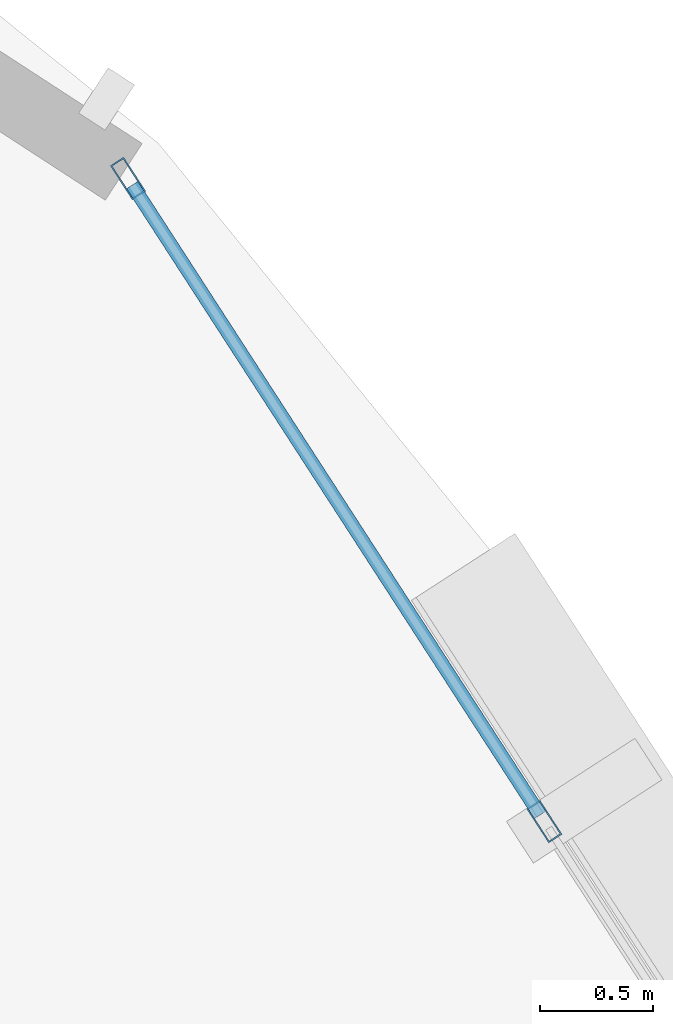
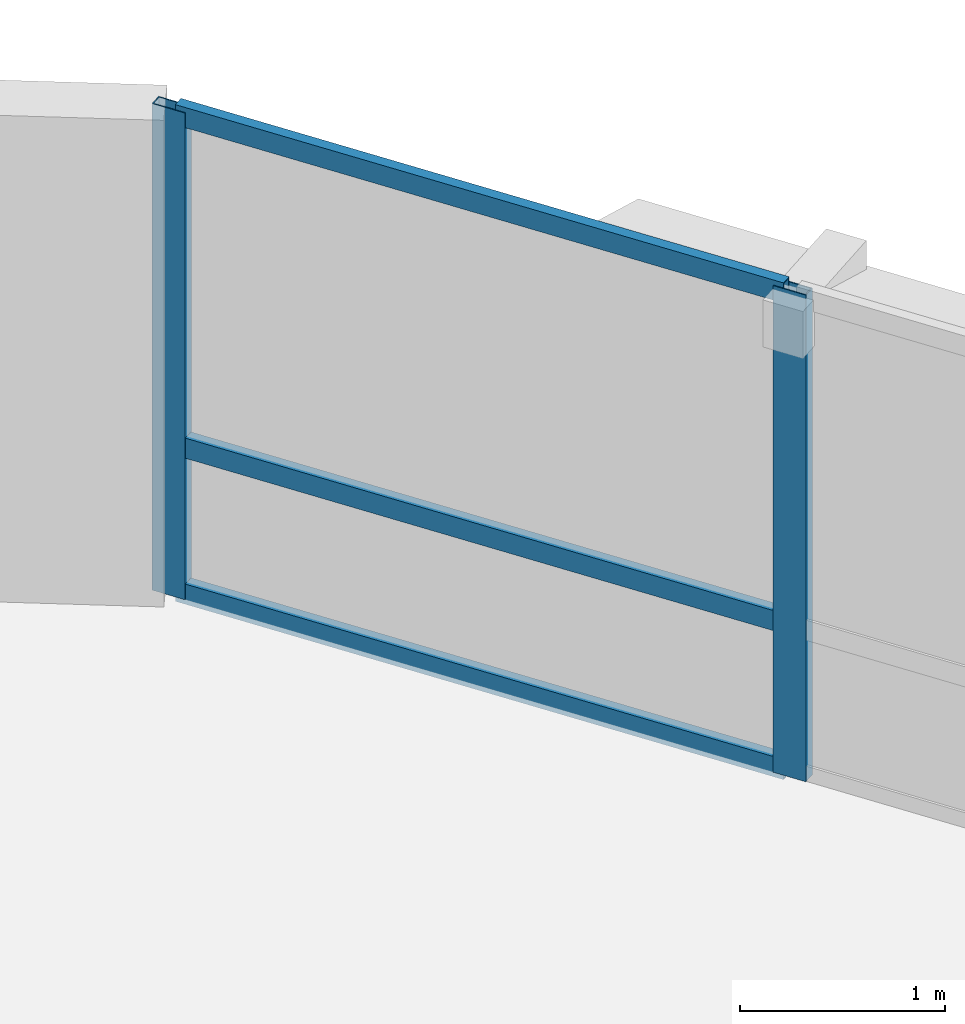
# One storey, part 8 of 15: 5 members, 1 element without a shape of its own.
"""IFC4 building model written with IfcOpenShell, lengths in metres."""

from ifc_helpers import new_model, si_unit, direction, frame, origin, origin_2d, place, context, subcontext, project, spatial, hollow_rectangle, extrude, material, layer, layer_set, material_profile, profile_set, type_object, element, aggregate, save


model = new_model("IFC4")

# Units and contexts
model_context = context("Model", 3, precision=1e-05, world=origin(), true_north=direction((0.0, 1.0)))
body_context = subcontext(model_context, "Body", "Model", "MODEL_VIEW")
ifc_project = project(units=[si_unit("LENGTHUNIT", "METRE"), si_unit("AREAUNIT", "SQUARE_METRE"), si_unit("VOLUMEUNIT", "CUBIC_METRE"), si_unit("PLANEANGLEUNIT", "RADIAN"), si_unit("MASSUNIT", "GRAM", prefix="KILO"), si_unit("THERMODYNAMICTEMPERATUREUNIT", "KELVIN"), si_unit("POWERUNIT", "WATT")], contexts=[model_context])

# Site, building, storey
site_placement = place(None, origin())
site = spatial("IfcSite", under=ifc_project, at=site_placement, CompositionType="ELEMENT")
building_placement = place(site_placement, origin())
building = spatial("IfcBuilding", under=site, at=building_placement, Name="Ocrelia Relay Tower", CompositionType="ELEMENT")
storey_placement = place(building_placement, frame((0.0, 0.0, 117.800048828125)))
storey = spatial("IfcBuildingStorey", under=building, at=storey_placement, Name="L27", CompositionType="ELEMENT", Elevation=117.800048828125)

# Curtain wall, members
ifc_material_1 = material(Name="Aluminium and solar-control low-E glass", Category="aluminium")
ifc_layer = layer(ifc_material_1, 0.179931640625, Name="Aluminium and solar-control low-E glass")
ifc_layer_set = layer_set([ifc_layer], Name="Aluminium and solar-control low-E glass")
curtain_wall_type = type_object("IfcCurtainWallType", Name="CW-SYS-Z2-SWIT", PredefinedType="NOTDEFINED", material=ifc_layer_set)
curtain_wall_placement = place(storey_placement, origin())
curtain_wall = element("IfcCurtainWall", 1, at=curtain_wall_placement, inside=storey, type_object=curtain_wall_type, Name="L27 Elliptical Tower Curtain Wall Bay 01", PredefinedType="NOTDEFINED")
ifc_material_2 = material(Name="Anodised bronze aluminium", Category="aluminium")
ifc_material_profile_1 = material_profile(ifc_material_2, hollow_rectangle(XDim=0.070068359375, YDim=0.179931640625, WallThickness=0.006103515625, at=origin_2d()), Name="CW-MUL-180x70")
ifc_profile_set_1 = profile_set([ifc_material_profile_1], Name="Anodised bronze aluminium")
member_type_1 = type_object("IfcMemberType", Name="CW-SYS-Z2-SWIT-MUL", PredefinedType="MULLION", material=ifc_profile_set_1)
member_1_placement = place(storey_placement, frame((56.194580078125, 37.6220703125, 0.0), z_axis=(0.0, 0.0, 1.0), x_axis=(-0.839437918968, -0.543455591745, 0.0)))
member_1 = element("IfcMember", 2, at=member_1_placement, type_object=member_type_1, Name="CW-Z2 mullion 2", PredefinedType="MULLION", context=body_context, shape_type="SweptSolid", body=[
    extrude(hollow_rectangle(XDim=0.070068359375, YDim=0.179931640625, WallThickness=0.006103515625, at=origin_2d()), origin(), (0.0, 0.0, 1.0), 2.89990234375),
])
member_2_placement = place(storey_placement, frame((54.34423828125, 40.47998046875, 0.0), z_axis=(0.0, 0.0, 1.0), x_axis=(-0.839437918968, -0.543455591745, 0.0)))
member_2 = element("IfcMember", 3, at=member_2_placement, type_object=member_type_1, Name="CW-Z2 mullion 3", PredefinedType="MULLION", context=body_context, shape_type="SweptSolid", body=[
    extrude(hollow_rectangle(XDim=0.070068359375, YDim=0.179931640625, WallThickness=0.006103515625, at=origin_2d()), origin(), (0.0, 0.0, 1.0), 2.89990234375),
])
ifc_material_profile_2 = material_profile(ifc_material_2, hollow_rectangle(XDim=0.06005859375, YDim=0.1201171875, WallThickness=0.0048828125, at=origin_2d()), Name="CW-TRN-120x60")
ifc_profile_set_2 = profile_set([ifc_material_profile_2], Name="Anodised bronze aluminium")
member_type_2 = type_object("IfcMemberType", Name="CW-SYS-Z2-SWIT-TRN", PredefinedType="USERDEFINED", material=ifc_profile_set_2)
member_3_placement = place(storey_placement, frame((56.175537109375, 37.6513671875, 0.030029296875), z_axis=(-0.543481977166, 0.839420836348, 0.0), x_axis=(-0.839420836348, -0.543481977166, 0.0)))
member_3 = element("IfcMember", 4, at=member_3_placement, type_object=member_type_2, Name="CW-Z2 transom 2.1", ObjectType="TRANSOM", PredefinedType="USERDEFINED", context=body_context, shape_type="SweptSolid", body=[
    extrude(hollow_rectangle(XDim=0.06005859375, YDim=0.1201171875, WallThickness=0.0048828125, at=origin_2d()), origin(), (0.0, 0.0, 1.0), 3.33447265625),
])
member_4_placement = place(storey_placement, frame((56.175537109375, 37.6513671875, 0.89990234375), z_axis=(-0.543481977166, 0.839420836348, 0.0), x_axis=(-0.839420836348, -0.543481977166, 0.0)))
member_4 = element("IfcMember", 5, at=member_4_placement, type_object=member_type_2, Name="CW-Z2 transom 2.2", ObjectType="TRANSOM", PredefinedType="USERDEFINED", context=body_context, shape_type="SweptSolid", body=[
    extrude(hollow_rectangle(XDim=0.06005859375, YDim=0.1201171875, WallThickness=0.0048828125, at=origin_2d()), origin(), (0.0, 0.0, 1.0), 3.33447265625),
])
member_5_placement = place(storey_placement, frame((56.175537109375, 37.6513671875, 2.869873046875), z_axis=(-0.543481977166, 0.839420836348, 0.0), x_axis=(-0.839420836348, -0.543481977166, 0.0)))
member_5 = element("IfcMember", 6, at=member_5_placement, type_object=member_type_2, Name="CW-Z2 transom 2.3", ObjectType="TRANSOM", PredefinedType="USERDEFINED", context=body_context, shape_type="SweptSolid", body=[
    extrude(hollow_rectangle(XDim=0.06005859375, YDim=0.1201171875, WallThickness=0.0048828125, at=origin_2d()), origin(), (0.0, 0.0, 1.0), 3.33447265625),
])
aggregate(curtain_wall, [member_1, member_2, member_3, member_4, member_5])

save(model, "model.ifc")
